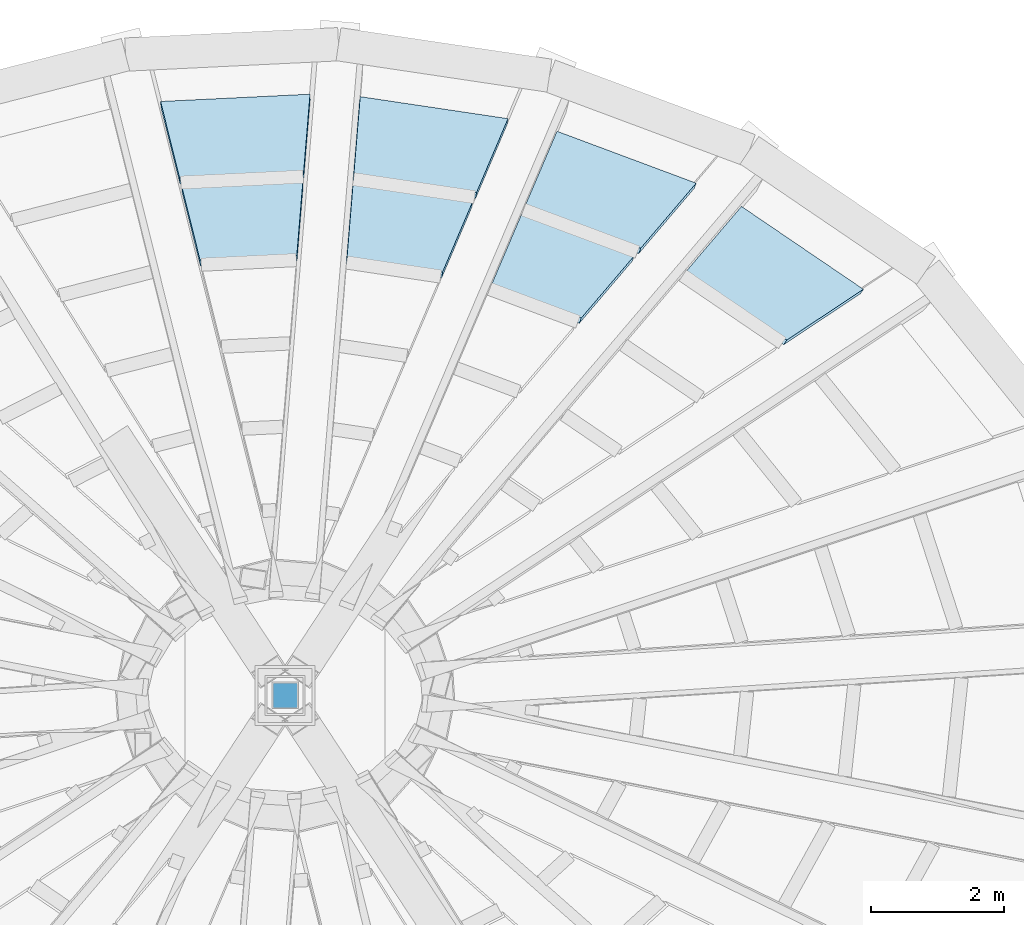
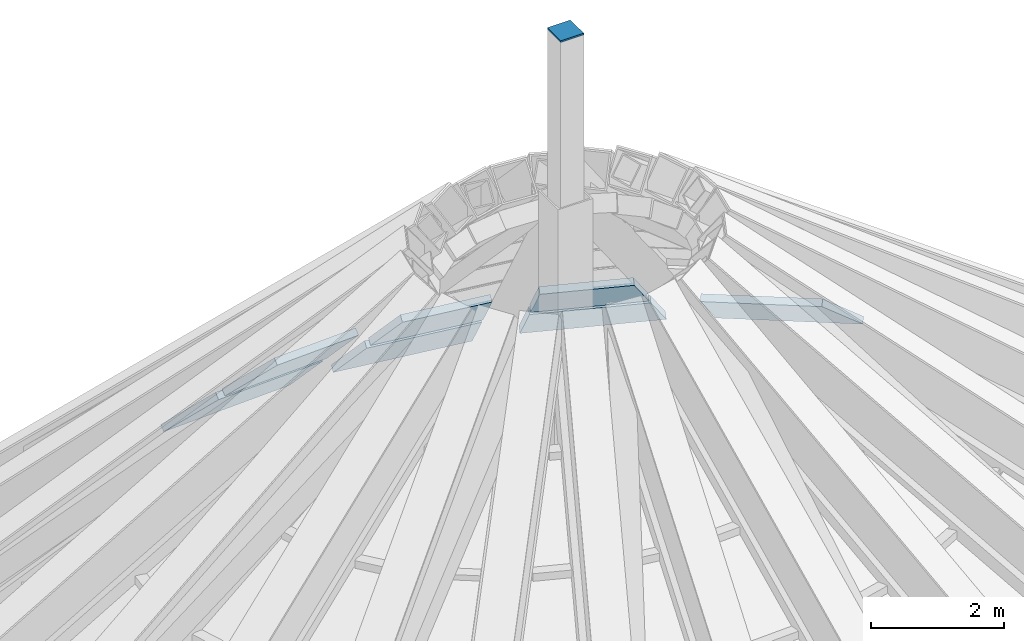
# One storey, part 8 of 9: 7 plates, 1 discrete accessory, 1 element without a shape of its own.
"""IFC4 building model written with IfcOpenShell, lengths in metres."""

from ifc_helpers import new_model, si_unit, direction, frame, origin, origin_2d, place, context, subcontext, project, spatial, polyline, rectangle, outline, extrude, source, transform, mapped, material, layer, layer_set, type_object, element, aggregate, save


model = new_model("IFC4")

# Units and contexts
model_context = context("Model", 3, precision=1e-05, world=origin(), true_north=direction((0.0, 1.0)))
body_context = subcontext(model_context, "Body", "Model", "MODEL_VIEW")
ifc_project = project(units=[si_unit("LENGTHUNIT", "METRE"), si_unit("AREAUNIT", "SQUARE_METRE"), si_unit("VOLUMEUNIT", "CUBIC_METRE"), si_unit("PLANEANGLEUNIT", "RADIAN"), si_unit("MASSUNIT", "GRAM", prefix="KILO")], contexts=[model_context])

# Site, building, storey
site_placement = place(None, origin())
site = spatial("IfcSite", under=ifc_project, at=site_placement, CompositionType="ELEMENT")
building_placement = place(site_placement, origin())
building = spatial("IfcBuilding", under=site, at=building_placement, Name="Embergate Tower", CompositionType="ELEMENT")
storey_placement = place(building_placement, frame((0.0, 0.0, 374.5)))
storey = spatial("IfcBuildingStorey", under=building, at=storey_placement, Name="Roof", CompositionType="ELEMENT", Elevation=374.5)

# Curtain wall, plates
ifc_material_1 = material(Name="Aluminium and glass", Category="aluminium")
curtain_wall_type = type_object("IfcCurtainWallType", Name="Crown facet glazing", PredefinedType="NOTDEFINED", material=ifc_material_1)
curtain_wall_placement = place(storey_placement, origin())
curtain_wall = element("IfcCurtainWall", 1, at=curtain_wall_placement, inside=storey, type_object=curtain_wall_type, Name="Crown facet glazing Roof", ObjectType="CROWN FACET GLAZING", PredefinedType="USERDEFINED")
ifc_material_2 = material(Name="Insulated metal panel with terracotta-glazed ceramic skin", Category="masonry")
ifc_layer = layer(ifc_material_2, 0.1201171875)
ifc_layer_set = layer_set([ifc_layer], Name="Insulated metal panel with terracotta-glazed ceramic skin")
plate_type = type_object("IfcPlateType", Name="Crown apex insulated panel", PredefinedType="CURTAIN_PANEL", material=ifc_layer_set)
shared_shape_1 = source(origin(), body_context, "Body", "SweptSolid", [
    extrude(outline(polyline([(0.0, 0.0), (2.213623046875, 0.0), (2.352783203125, 1.74267578125), (0.522705078125, 1.74267578125), (0.0, 0.0)])), origin(), (0.0, 0.0, -1.0), 0.1201171875),
])
plate_1_placement = place(storey_placement, frame((8.681396484375, 6.0966796875, 0.027099609375), z_axis=(0.382441409907, 0.562674779758, 0.732895395137), x_axis=(-0.827046522568, 0.562133480149, -2.038473e-06)))
plate_1 = element("IfcPlate", 2, at=plate_1_placement, type_object=plate_type, Name="CW panel 3.1", PredefinedType="CURTAIN_PANEL", context=body_context, shape_type="MappedRepresentation", body=[
    mapped(shared_shape_1, transform((0.0, 0.0, 0.0))),
])
shared_shape_2 = source(origin(), body_context, "Body", "SweptSolid", [
    extrude(outline(polyline([(0.0, 0.0), (2.23046875, 0.0), (2.2861328125, 1.69384765625), (0.43896484375, 1.693603515625), (0.0, 0.0)])), origin(), (0.0, 0.0, -1.0), 0.1201171875),
])
plate_2_placement = place(storey_placement, frame((6.170654296875, 7.68994140625, 0.028076171875), z_axis=(0.244867382337, 0.656377126789, 0.713588839946), x_axis=(-0.936914484826, 0.349558646193, -3.1534208e-05)))
plate_2 = element("IfcPlate", 3, at=plate_2_placement, type_object=plate_type, Name="CW panel 4.1", PredefinedType="CURTAIN_PANEL", context=body_context, shape_type="MappedRepresentation", body=[
    mapped(shared_shape_2, transform((0.0, 0.0, 0.0))),
])
shared_shape_3 = source(origin(), body_context, "Body", "SweptSolid", [
    extrude(outline(polyline([(0.0, 0.0), (1.802978515625, 0.0), (1.85595703125, 1.615966796875), (0.41845703125, 1.61572265625), (0.0, 0.0)])), origin(), (0.0, 0.0, -1.0), 0.1201171875),
])
plate_3_placement = place(storey_placement, frame((5.240478515625, 6.597900390625, 1.351806640625), z_axis=(0.244911535329, 0.656405140809, 0.713547917789), x_axis=(-0.936899804403, 0.34959799155, -2.8518511e-05)))
plate_3 = element("IfcPlate", 4, at=plate_3_placement, type_object=plate_type, Name="CW panel 4.2", PredefinedType="CURTAIN_PANEL", context=body_context, shape_type="MappedRepresentation", body=[
    mapped(shared_shape_3, transform((0.0, 0.0, 0.0))),
])
shared_shape_4 = source(origin(), body_context, "Body", "SweptSolid", [
    extrude(outline(polyline([(0.0, 0.0), (2.24365234375, 0.0), (2.166015625, 1.668212890625), (0.305419921875, 1.66796875), (0.0, 0.0)])), origin(), (0.0, 0.0, -1.0), 0.1201171875),
])
plate_4_placement = place(storey_placement, frame((3.34619140625, 8.658203125, 0.0283203125), z_axis=(0.104933212275, 0.704128108843, 0.70227674552), x_axis=(-0.98907448025, 0.147416661717, -1.915603e-05)))
plate_4 = element("IfcPlate", 5, at=plate_4_placement, type_object=plate_type, Name="CW panel 5.1", PredefinedType="CURTAIN_PANEL", context=body_context, shape_type="MappedRepresentation", body=[
    mapped(shared_shape_4, transform((0.0, 0.0, 0.0))),
])
shared_shape_5 = source(origin(), body_context, "Body", "SweptSolid", [
    extrude(outline(polyline([(0.0, 0.0), (1.816162109375, 0.0), (1.7421875, 1.591552734375), (0.291748046875, 1.591552734375), (0.0, 0.0)])), origin(), (0.0, 0.0, -1.0), 0.1201171875),
])
plate_5_placement = place(storey_placement, frame((2.81640625, 7.416015625, 1.352783203125), z_axis=(0.104863819792, 0.704146451015, 0.702268719809), x_axis=(-0.989089884001, 0.147313275531, -1.4776108e-05)))
plate_5 = element("IfcPlate", 6, at=plate_5_placement, type_object=plate_type, Name="CW panel 5.2", PredefinedType="CURTAIN_PANEL", context=body_context, shape_type="MappedRepresentation", body=[
    mapped(shared_shape_5, transform((0.0, 0.0, 0.0))),
])
shared_shape_6 = source(origin(), body_context, "Body", "SweptSolid", [
    extrude(outline(polyline([(0.0, 0.0), (2.24609375, 0.0), (2.015625, 1.66259765625), (0.15283203125, 1.66259765625), (0.0, 0.0)])), origin(), (0.0, 0.0, -1.0), 0.1201171875),
])
plate_6_placement = place(storey_placement, frame((0.37353515625, 9.02587890625, 0.028564453125), z_axis=(-0.034792320002, 0.713242560044, 0.700053244411), x_axis=(-0.998812983232, -0.048709591995, -1.3237339e-05)))
plate_6 = element("IfcPlate", 7, at=plate_6_placement, type_object=plate_type, Name="CW panel 6.1", PredefinedType="CURTAIN_PANEL", context=body_context, shape_type="MappedRepresentation", body=[
    mapped(shared_shape_6, transform((0.0, 0.0, 0.0))),
])
shared_shape_7 = source(origin(), body_context, "Body", "SweptSolid", [
    extrude(outline(polyline([(0.0, 0.0), (1.818603515625, 0.0), (1.59912109375, 1.586669921875), (0.145751953125, 1.5869140625), (0.0, 0.0)])), origin(), (0.0, 0.0, -1.0), 0.1201171875),
])
plate_7_placement = place(storey_placement, frame((0.2666015625, 7.720703125, 1.35302734375), z_axis=(-0.034794363664, 0.713204529305, 0.700091887995), x_axis=(-0.998811981313, -0.048730134215, 2.178466e-06)))
plate_7 = element("IfcPlate", 8, at=plate_7_placement, type_object=plate_type, Name="CW panel 6.2", PredefinedType="CURTAIN_PANEL", context=body_context, shape_type="MappedRepresentation", body=[
    mapped(shared_shape_7, transform((0.0, 0.0, 0.0))),
])
aggregate(curtain_wall, [plate_1, plate_2, plate_3, plate_4, plate_5, plate_6, plate_7])

# Discrete accessory
ifc_material_3 = material(Name="Steel Q355D plate", Category="steel")
discrete_accessory_type = type_object("IfcDiscreteAccessoryType", Name="Member end plate 400x30", PredefinedType="USERDEFINED", material=ifc_material_3)
shared_shape_8 = source(origin(), body_context, "Body", "SweptSolid", [
    extrude(rectangle(XDim=0.39990234375, YDim=0.39990234375, at=origin_2d()), origin(), (0.0, 0.0, 1.0), 0.030029296875),
])
discrete_accessory_placement = place(storey_placement, frame((0.0, 0.0, 11.97021484375), z_axis=(0.0, 0.0, 1.0), x_axis=(1.0, 0.0, 0.0)))
element("IfcDiscreteAccessory", 9, at=discrete_accessory_placement, inside=storey, type_object=discrete_accessory_type, Name="Spire mast cap plate", ObjectType="BRACKET", PredefinedType="USERDEFINED", context=body_context, shape_type="MappedRepresentation", body=[
    mapped(shared_shape_8, transform((0.0, 0.0, 0.0))),
])

save(model, "model.ifc")
